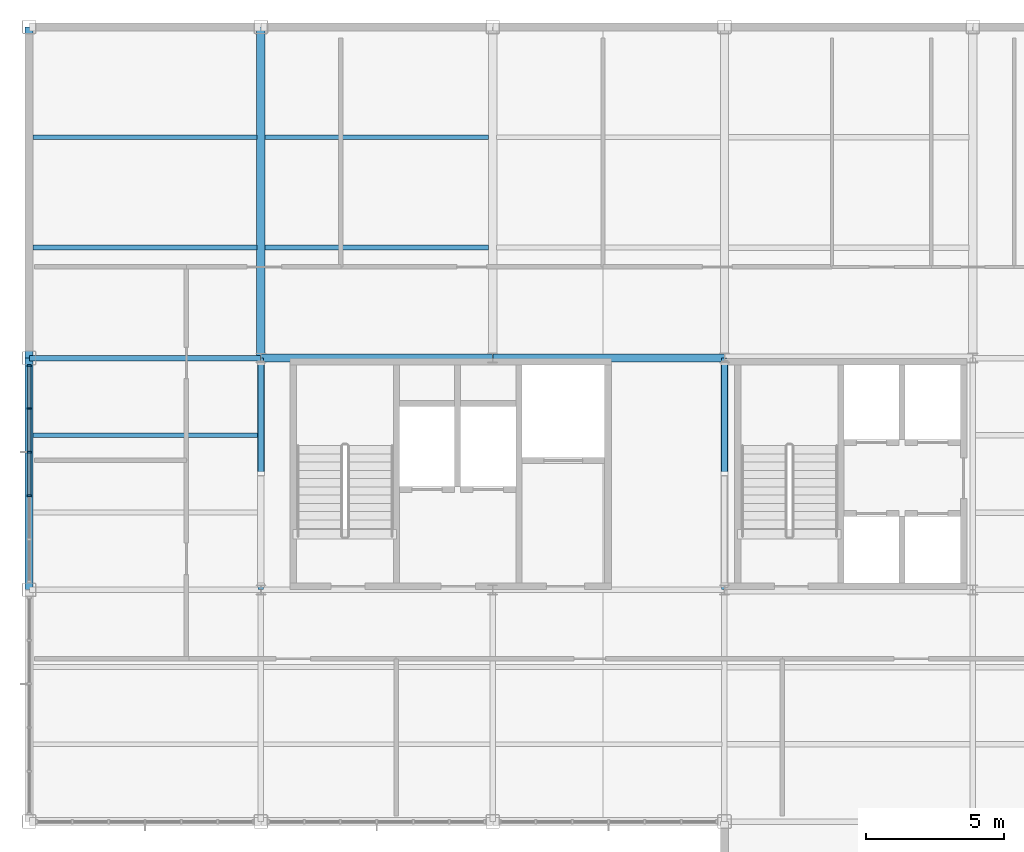
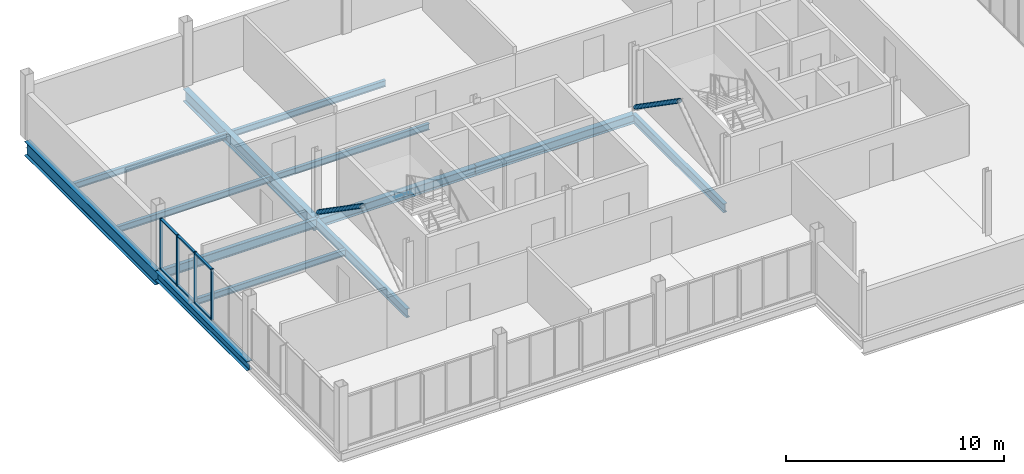
# One storey, part 6 of 16: 13 beams, 12 members, 1 element without a shape of its own.
"""IFC4 building model written with IfcOpenShell, lengths in metres."""

from ifc_helpers import new_model, si_unit, direction, frame, origin, origin_2d, place, context, subcontext, project, spatial, rectangle, hollow_circle, i_section, extrude, material, layer, layer_set, material_profile, profile_set, type_object, element, aggregate, save


model = new_model("IFC4")

# Units and contexts
model_context = context("Model", 3, precision=1e-05, world=origin(), true_north=direction((0.0, 1.0)))
body_context = subcontext(model_context, "Body", "Model", "MODEL_VIEW")
ifc_project = project(units=[si_unit("LENGTHUNIT", "METRE"), si_unit("AREAUNIT", "SQUARE_METRE"), si_unit("VOLUMEUNIT", "CUBIC_METRE"), si_unit("PLANEANGLEUNIT", "RADIAN"), si_unit("MASSUNIT", "GRAM", prefix="KILO")], contexts=[model_context])

# Site, building, storey
site_placement = place(None, origin())
site = spatial("IfcSite", under=ifc_project, at=site_placement, CompositionType="ELEMENT")
building_placement = place(site_placement, origin())
building = spatial("IfcBuilding", under=site, at=building_placement, Name="Yukiwa Park Conservatory and Herbarium", CompositionType="ELEMENT")
storey_placement = place(building_placement, frame((0.0, 0.0, 39.60009765625)))
storey = spatial("IfcBuildingStorey", under=building, at=storey_placement, Name="L10", CompositionType="ELEMENT", Elevation=39.60009765625)

# Beams
ifc_material_1 = material(Name="Steel Q355D", Category="steel")
ifc_material_profile_1 = material_profile(ifc_material_1, i_section(OverallWidth=0.198974609375, OverallDepth=0.49609375, WebThickness=0.009033203125, FlangeThickness=0.013916015625, FilletRadius=0.02001953125, at=origin_2d()), Name="HN 496x199x9x14")
ifc_profile_set_1 = profile_set([ifc_material_profile_1], Name="Steel Q355D")
beam_type_1 = type_object("IfcBeamType", Name="BM-GRD-HN496", PredefinedType="BEAM", material=ifc_profile_set_1)
beam_1_placement = place(storey_placement, frame((124.805908203125, 103.199951171875, -0.5), z_axis=(1.0, 0.0, 0.0), x_axis=(0.0, 1.0, 0.0)))
element("IfcBeam", 1, at=beam_1_placement, inside=storey, type_object=beam_type_1, Name="L10 grid beam X-13", PredefinedType="BEAM", context=body_context, shape_type="SweptSolid", body=[
    extrude(i_section(OverallWidth=0.198974609375, OverallDepth=0.49609375, WebThickness=0.009033203125, FlangeThickness=0.013916015625, FilletRadius=0.02001953125, at=origin_2d()), origin(), (0.0, 0.0, 1.0), 8.38818359375),
])
ifc_material_2 = material(Name="Steel Q355D", Category="steel")
ifc_material_profile_2 = material_profile(ifc_material_2, i_section(OverallWidth=0.199951171875, OverallDepth=0.5, WebThickness=0.010009765625, FlangeThickness=0.01611328125, FilletRadius=0.02001953125, at=origin_2d()), Name="HN 500x200x10x16")
ifc_profile_set_2 = profile_set([ifc_material_profile_2], Name="Steel Q355D")
beam_type_2 = type_object("IfcBeamType", Name="BM-GRD-HN500", PredefinedType="BEAM", material=ifc_profile_set_2)
for number, where, z_axis, x_axis, name in (
    (2, (133.199951171875, 94.805908203125, -0.502197265625), (0.0, 1.0, 0.0), (-1.0, 0.0, 0.0), "L10 grid girder Y-27"),
    (3, (150.0, 94.805908203125, -0.502197265625), (0.0, 1.0, 0.0), (-1.0, 0.0, 0.0), "L10 grid girder Y-33"),
):
    element("IfcBeam", number, at=place(storey_placement, frame(where, z_axis=z_axis, x_axis=x_axis)), inside=storey, type_object=beam_type_2, Name=name, PredefinedType="BEAM", context=body_context, shape_type="SweptSolid", body=[
        extrude(i_section(OverallWidth=0.199951171875, OverallDepth=0.5, WebThickness=0.010009765625, FlangeThickness=0.01611328125, FilletRadius=0.02001953125, at=origin_2d()), origin(), (0.0, 0.0, 1.0), 8.38818359375),
    ])
ifc_material_3 = material(Name="Steel Q355D", Category="steel")
ifc_material_profile_3 = material_profile(ifc_material_3, i_section(OverallWidth=0.300048828125, OverallDepth=0.699951171875, WebThickness=0.012939453125, FlangeThickness=0.02392578125, FilletRadius=0.028076171875, at=origin_2d()), Name="HN 700x300x13x24")
ifc_profile_set_3 = profile_set([ifc_material_profile_3], Name="Steel Q355D")
beam_type_3 = type_object("IfcBeamType", Name="BM-GRD-HN700", PredefinedType="BEAM", material=ifc_profile_set_3)
beam_2_placement = place(storey_placement, frame((133.199951171875, 103.2060546875, -0.60205078125), z_axis=(0.0, 1.0, 0.0), x_axis=(-1.0, 0.0, 0.0)))
element("IfcBeam", 4, at=beam_2_placement, inside=storey, type_object=beam_type_3, Name="L10 grid girder Y-28", PredefinedType="BEAM", context=body_context, shape_type="SweptSolid", body=[
    extrude(i_section(OverallWidth=0.300048828125, OverallDepth=0.699951171875, WebThickness=0.012939453125, FlangeThickness=0.02392578125, FilletRadius=0.028076171875, at=origin_2d()), origin(), (0.0, 0.0, 1.0), 11.988037109375),
])
ifc_material_4 = material(Name="Steel Q355D", Category="steel")
ifc_material_profile_4 = material_profile(ifc_material_4, i_section(OverallWidth=0.174072265625, OverallDepth=0.345947265625, WebThickness=0.006103515625, FlangeThickness=0.009033203125, FilletRadius=0.013916015625, at=origin_2d()), Name="HN 346x174x6x9")
ifc_profile_set_4 = profile_set([ifc_material_profile_4], Name="Steel Q355D")
beam_type_4 = type_object("IfcBeamType", Name="BM-JST-HN346", PredefinedType="JOIST", material=ifc_profile_set_4)
beam_3_placement = place(storey_placement, frame((124.946044921875, 100.39990234375, -0.425048828125), z_axis=(1.0, 0.0, 0.0), x_axis=(0.0, 1.0, 0.0)))
element("IfcBeam", 5, at=beam_3_placement, inside=storey, type_object=beam_type_4, Name="L10 composite floor joist 4", PredefinedType="JOIST", context=body_context, shape_type="SweptSolid", body=[
    extrude(i_section(OverallWidth=0.174072265625, OverallDepth=0.345947265625, WebThickness=0.006103515625, FlangeThickness=0.009033203125, FilletRadius=0.013916015625, at=origin_2d()), origin(), (0.0, 0.0, 1.0), 8.157958984375),
])
for number, where, z_axis, x_axis, name in (
    (6, (124.946044921875, 107.199951171875, -0.425048828125), (1.0, 0.0, 0.0), (0.0, 1.0, 0.0), "L10 composite floor joist 5"),
    (7, (124.946044921875, 111.199951171875, -0.425048828125), (1.0, 0.0, 0.0), (0.0, 1.0, 0.0), "L10 composite floor joist 6"),
):
    element("IfcBeam", number, at=place(storey_placement, frame(where, z_axis=z_axis, x_axis=x_axis)), inside=storey, type_object=beam_type_4, Name=name, PredefinedType="JOIST", context=body_context, shape_type="SweptSolid", body=[
        extrude(i_section(OverallWidth=0.174072265625, OverallDepth=0.345947265625, WebThickness=0.006103515625, FlangeThickness=0.009033203125, FilletRadius=0.013916015625, at=origin_2d()), origin(), (0.0, 0.0, 1.0), 8.10791015625),
    ])
for number, where, z_axis, x_axis, name in (
    (8, (133.345947265625, 107.199951171875, -0.425048828125), (1.0, 0.0, 0.0), (0.0, 1.0, 0.0), "L10 composite floor joist 9"),
    (9, (133.345947265625, 111.199951171875, -0.425048828125), (1.0, 0.0, 0.0), (0.0, 1.0, 0.0), "L10 composite floor joist 10"),
):
    element("IfcBeam", number, at=place(storey_placement, frame(where, z_axis=z_axis, x_axis=x_axis)), inside=storey, type_object=beam_type_4, Name=name, PredefinedType="JOIST", context=body_context, shape_type="SweptSolid", body=[
        extrude(i_section(OverallWidth=0.174072265625, OverallDepth=0.345947265625, WebThickness=0.006103515625, FlangeThickness=0.009033203125, FilletRadius=0.013916015625, at=origin_2d()), origin(), (0.0, 0.0, 1.0), 8.108154296875),
    ])
ifc_material_5 = material(Name="Steel Q355D", Category="steel")
ifc_material_profile_5 = material_profile(ifc_material_5, i_section(OverallWidth=0.300048828125, OverallDepth=0.5, WebThickness=0.010986328125, FlangeThickness=0.01806640625, FilletRadius=0.02392578125, at=origin_2d()), Name="HM 500x300x11x18")
ifc_profile_set_5 = profile_set([ifc_material_profile_5], Name="Steel Q355D")
beam_type_5 = type_object("IfcBeamType", Name="BM-SPN-HN500", PredefinedType="SPANDREL", material=ifc_profile_set_5)
for number, where, z_axis, x_axis, name in (
    (10, (133.2060546875, 103.199951171875, -0.502197265625), (1.0, 0.0, 0.0), (0.0, 1.0, 0.0), "L10 spandrel beam X-14"),
    (11, (141.60595703125, 103.199951171875, -0.502197265625), (1.0, 0.0, 0.0), (0.0, 1.0, 0.0), "L10 spandrel beam X-15"),
):
    element("IfcBeam", number, at=place(storey_placement, frame(where, z_axis=z_axis, x_axis=x_axis)), inside=storey, type_object=beam_type_5, Name=name, PredefinedType="SPANDREL", context=body_context, shape_type="SweptSolid", body=[
        extrude(i_section(OverallWidth=0.300048828125, OverallDepth=0.5, WebThickness=0.010986328125, FlangeThickness=0.01806640625, FilletRadius=0.02392578125, at=origin_2d()), origin(), (0.0, 0.0, 1.0), 8.387939453125),
    ])
beam_4_placement = place(storey_placement, frame((124.800048828125, 94.805908203125, -0.502197265625), z_axis=(0.0, 1.0, 0.0), x_axis=(-1.0, 0.0, 0.0)))
element("IfcBeam", 12, at=beam_4_placement, inside=storey, type_object=beam_type_5, Name="L10 spandrel girder Y-24", PredefinedType="SPANDREL", context=body_context, shape_type="SweptSolid", body=[
    extrude(i_section(OverallWidth=0.300048828125, OverallDepth=0.5, WebThickness=0.010986328125, FlangeThickness=0.01806640625, FilletRadius=0.02392578125, at=origin_2d()), origin(), (0.0, 0.0, 1.0), 8.38818359375),
])
ifc_material_6 = material(Name="Steel Q355D", Category="steel")
ifc_material_profile_6 = material_profile(ifc_material_6, i_section(OverallWidth=0.300048828125, OverallDepth=0.7919921875, WebThickness=0.013916015625, FlangeThickness=0.02197265625, FilletRadius=0.028076171875, at=origin_2d()), Name="HN 792x300x14x22")
ifc_profile_set_6 = profile_set([ifc_material_profile_6], Name="Steel Q355D")
beam_type_6 = type_object("IfcBeamType", Name="BM-SPN-HN600", PredefinedType="SPANDREL", material=ifc_profile_set_6)
beam_5_placement = place(storey_placement, frame((124.800048828125, 103.2060546875, -0.648193359375), z_axis=(0.0, 1.0, 0.0), x_axis=(-1.0, 0.0, 0.0)))
element("IfcBeam", 13, at=beam_5_placement, inside=storey, type_object=beam_type_6, Name="L10 spandrel girder Y-25", PredefinedType="SPANDREL", context=body_context, shape_type="SweptSolid", body=[
    extrude(i_section(OverallWidth=0.300048828125, OverallDepth=0.7919921875, WebThickness=0.013916015625, FlangeThickness=0.02197265625, FilletRadius=0.028076171875, at=origin_2d()), origin(), (0.0, 0.0, 1.0), 11.988037109375),
])

# Members
ifc_material_7 = material(Name="Steel Q355D", Category="steel")
ifc_material_profile_7 = material_profile(ifc_material_7, hollow_circle(Radius=0.122314453125, WallThickness=0.010009765625, at=origin_2d()), Name="CHS 244.5x10")
ifc_profile_set_7 = profile_set([ifc_material_profile_7], Name="Steel Q355D")
member_type_1 = type_object("IfcMemberType", Name="MB-BR-CHS245", PredefinedType="BRACE", material=ifc_profile_set_7)
for number, where, z_axis, x_axis, name in (
    (14, (133.199951171875, 103.029541015625, 0.16796875), (0.0, -0.821318801729, 0.570469478523), (1.0, 0.0, 0.0), "L10 concentric chevron brace 54"),
    (15, (150.0, 103.029541015625, 0.16796875), (0.0, -0.821318801729, 0.570469478523), (1.0, 0.0, 0.0), "L10 concentric chevron brace 56"),
):
    element("IfcMember", number, at=place(storey_placement, frame(where, z_axis=z_axis, x_axis=x_axis)), inside=storey, type_object=member_type_1, Name=name, PredefinedType="BRACE", context=body_context, shape_type="SweptSolid", body=[
        extrude(hollow_circle(Radius=0.122314453125, WallThickness=0.010009765625, at=origin_2d()), origin(), (0.0, 0.0, 1.0), 4.90625),
    ])

# Curtain wall, members
ifc_material_8 = material(Name="Triple Low-E Insulated Glass", Category="glass")
ifc_layer = layer(ifc_material_8, 0.260009765625)
ifc_layer_set = layer_set([ifc_layer], Name="Triple Low-E Insulated Glass")
curtain_wall_type = type_object("IfcCurtainWallType", Name="CW-TOWER-LAB-W-1500", PredefinedType="NOTDEFINED", material=ifc_layer_set)
curtain_wall_placement = place(storey_placement, origin())
curtain_wall = element("IfcCurtainWall", 16, at=curtain_wall_placement, inside=storey, type_object=curtain_wall_type, Name="L10 unitised curtain wall CW-L10-107", PredefinedType="NOTDEFINED")
ifc_material_9 = material(Name="Anodised Aluminium", Category="aluminium")
member_type_2 = type_object("IfcMemberType", Name="MB-CW-MUL-70X150", PredefinedType="MULLION", material=ifc_material_9)
member_1_placement = place(storey_placement, frame((124.800048828125, 102.9150390625, 0.0), z_axis=(0.0, 0.0, 1.0), x_axis=(0.0, -1.0, 0.0)))
member_1 = element("IfcMember", 17, at=member_1_placement, type_object=member_type_2, Name="CW-L10-107 mullion 1", PredefinedType="MULLION", context=body_context, shape_type="SweptSolid", body=[
    extrude(rectangle(XDim=0.070068359375, YDim=0.14990234375, at=origin_2d()), origin(), (0.0, 0.0, 1.0), 2.842041015625),
])
member_2_placement = place(storey_placement, frame((124.800048828125, 101.3701171875, 0.0), z_axis=(0.0, 0.0, 1.0), x_axis=(0.0, -1.0, 0.0)))
member_2 = element("IfcMember", 18, at=member_2_placement, type_object=member_type_2, Name="CW-L10-107 mullion 2", PredefinedType="MULLION", context=body_context, shape_type="SweptSolid", body=[
    extrude(rectangle(XDim=0.070068359375, YDim=0.14990234375, at=origin_2d()), origin(), (0.0, 0.0, 1.0), 2.842041015625),
])
member_3_placement = place(storey_placement, frame((124.800048828125, 99.7900390625, 0.0), z_axis=(0.0, 0.0, 1.0), x_axis=(0.0, -1.0, 0.0)))
member_3 = element("IfcMember", 19, at=member_3_placement, type_object=member_type_2, Name="CW-L10-107 mullion 3", PredefinedType="MULLION", context=body_context, shape_type="SweptSolid", body=[
    extrude(rectangle(XDim=0.070068359375, YDim=0.14990234375, at=origin_2d()), origin(), (0.0, 0.0, 1.0), 2.842041015625),
])
member_4_placement = place(storey_placement, frame((124.800048828125, 98.2099609375, 0.0), z_axis=(0.0, 0.0, 1.0), x_axis=(0.0, -1.0, 0.0)))
member_4 = element("IfcMember", 20, at=member_4_placement, type_object=member_type_2, Name="CW-L10-107 mullion 4", PredefinedType="MULLION", context=body_context, shape_type="SweptSolid", body=[
    extrude(rectangle(XDim=0.070068359375, YDim=0.14990234375, at=origin_2d()), origin(), (0.0, 0.0, 1.0), 2.842041015625),
])
ifc_material_10 = material(Name="Anodised Aluminium", Category="aluminium")
member_type_3 = type_object("IfcMemberType", Name="MB-CW-TRN-70X130", PredefinedType="USERDEFINED", material=ifc_material_10)
member_5_placement = place(storey_placement, frame((124.800048828125, 102.159912109375, 0.0), z_axis=(0.0, 0.0, 1.0), x_axis=(0.0, -1.0, 0.0)))
member_5 = element("IfcMember", 21, at=member_5_placement, type_object=member_type_3, Name="CW-L10-107 transom 1.1", ObjectType="TRANSOM", PredefinedType="USERDEFINED", context=body_context, shape_type="SweptSolid", body=[
    extrude(rectangle(XDim=1.510009765625, YDim=0.1298828125, at=origin_2d()), origin(), (0.0, 0.0, 1.0), 0.070068359375),
])
member_6_placement = place(storey_placement, frame((124.800048828125, 102.159912109375, 2.77197265625), z_axis=(0.0, 0.0, 1.0), x_axis=(0.0, -1.0, 0.0)))
member_6 = element("IfcMember", 22, at=member_6_placement, type_object=member_type_3, Name="CW-L10-107 transom 1.2", ObjectType="TRANSOM", PredefinedType="USERDEFINED", context=body_context, shape_type="SweptSolid", body=[
    extrude(rectangle(XDim=1.510009765625, YDim=0.1298828125, at=origin_2d()), origin(), (0.0, 0.0, 1.0), 0.070068359375),
])
member_7_placement = place(storey_placement, frame((124.800048828125, 100.580078125, 0.0), z_axis=(0.0, 0.0, 1.0), x_axis=(0.0, -1.0, 0.0)))
member_7 = element("IfcMember", 23, at=member_7_placement, type_object=member_type_3, Name="CW-L10-107 transom 2.1", ObjectType="TRANSOM", PredefinedType="USERDEFINED", context=body_context, shape_type="SweptSolid", body=[
    extrude(rectangle(XDim=1.510009765625, YDim=0.1298828125, at=origin_2d()), origin(), (0.0, 0.0, 1.0), 0.070068359375),
])
member_8_placement = place(storey_placement, frame((124.800048828125, 100.580078125, 2.77197265625), z_axis=(0.0, 0.0, 1.0), x_axis=(0.0, -1.0, 0.0)))
member_8 = element("IfcMember", 24, at=member_8_placement, type_object=member_type_3, Name="CW-L10-107 transom 2.2", ObjectType="TRANSOM", PredefinedType="USERDEFINED", context=body_context, shape_type="SweptSolid", body=[
    extrude(rectangle(XDim=1.510009765625, YDim=0.1298828125, at=origin_2d()), origin(), (0.0, 0.0, 1.0), 0.070068359375),
])
member_9_placement = place(storey_placement, frame((124.800048828125, 99.0, 0.0), z_axis=(0.0, 0.0, 1.0), x_axis=(0.0, -1.0, 0.0)))
member_9 = element("IfcMember", 25, at=member_9_placement, type_object=member_type_3, Name="CW-L10-107 transom 3.1", ObjectType="TRANSOM", PredefinedType="USERDEFINED", context=body_context, shape_type="SweptSolid", body=[
    extrude(rectangle(XDim=1.510009765625, YDim=0.1298828125, at=origin_2d()), origin(), (0.0, 0.0, 1.0), 0.070068359375),
])
member_10_placement = place(storey_placement, frame((124.800048828125, 99.0, 2.77197265625), z_axis=(0.0, 0.0, 1.0), x_axis=(0.0, -1.0, 0.0)))
member_10 = element("IfcMember", 26, at=member_10_placement, type_object=member_type_3, Name="CW-L10-107 transom 3.2", ObjectType="TRANSOM", PredefinedType="USERDEFINED", context=body_context, shape_type="SweptSolid", body=[
    extrude(rectangle(XDim=1.510009765625, YDim=0.1298828125, at=origin_2d()), origin(), (0.0, 0.0, 1.0), 0.070068359375),
])
aggregate(curtain_wall, [member_1, member_2, member_3, member_4, member_5, member_6, member_7, member_8, member_9, member_10])

save(model, "model.ifc")
